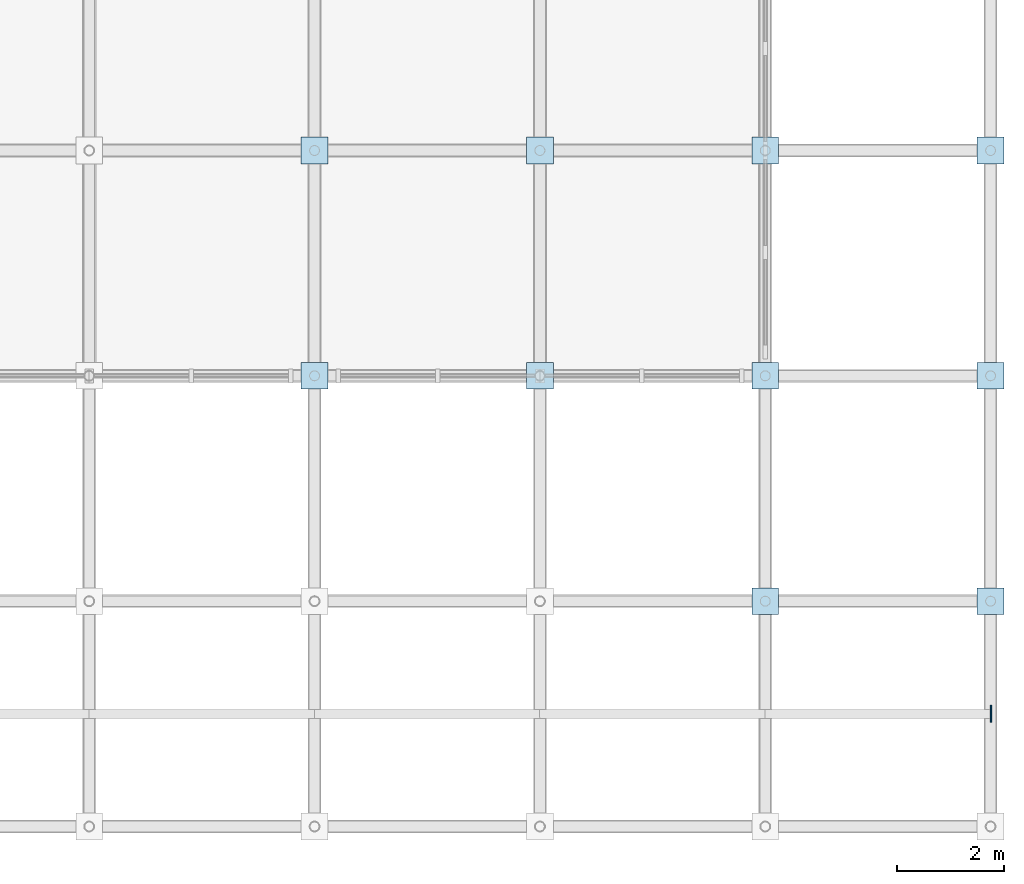
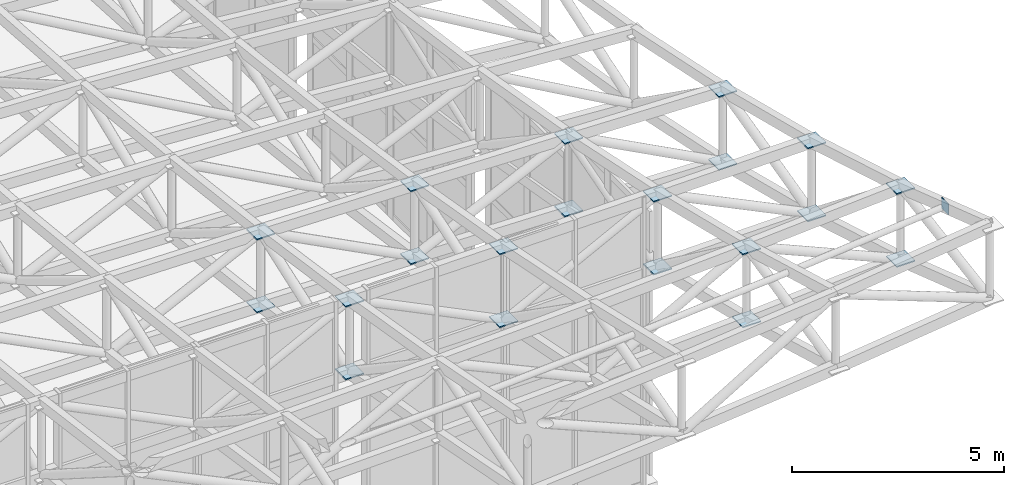
# One storey, part 76 of 123: 21 plates.
"""IFC4 building model written with IfcOpenShell, lengths in metres."""

from ifc_helpers import new_model, si_unit, direction, frame, origin, origin_2d, place, context, subcontext, project, spatial, rectangle, extrude, material, layer, layer_set, type_object, element, save


model = new_model("IFC4")

# Units and contexts
model_context = context("Model", 3, precision=1e-05, world=origin(), true_north=direction((0.0, 1.0)))
body_context = subcontext(model_context, "Body", "Model", "MODEL_VIEW")
ifc_project = project(units=[si_unit("LENGTHUNIT", "METRE"), si_unit("AREAUNIT", "SQUARE_METRE"), si_unit("VOLUMEUNIT", "CUBIC_METRE"), si_unit("PLANEANGLEUNIT", "RADIAN"), si_unit("MASSUNIT", "GRAM", prefix="KILO")], contexts=[model_context])

# Site, building, storey
site_placement = place(None, origin())
site = spatial("IfcSite", under=ifc_project, at=site_placement, CompositionType="ELEMENT")
building_placement = place(site_placement, origin())
building = spatial("IfcBuilding", under=site, at=building_placement, Name="Cumbredor Promenade Congress Hotel", CompositionType="ELEMENT")
storey_placement = place(building_placement, frame((0.0, 0.0, 11.760009765625)))
storey = spatial("IfcBuildingStorey", under=building, at=storey_placement, Name="L03", CompositionType="ELEMENT", Elevation=11.760009765625)

# Plates
ifc_material = material(Name="Steel ASTM A572 Grade 50", Category="steel")
ifc_layer_1 = layer(ifc_material, 0.02001953125, Name="Steel ASTM A572 Grade 50", Category="steel")
ifc_layer_set_1 = layer_set([ifc_layer_1], Name="Steel ASTM A572 Grade 50")
plate_type_1 = type_object("IfcPlateType", Name="Hollow Section End Cap Plate CP-05", PredefinedType="USERDEFINED", material=ifc_layer_set_1)
plate_placement = place(storey_placement, frame((189.008056640625, 2.10009765625, 10.1298828125), z_axis=(0.0, 0.0, 1.0), x_axis=(1.0, 0.0, 0.0)))
element("IfcPlate", 1, at=plate_placement, inside=storey, type_object=plate_type_1, Name="Grand Ballroom Pavilion Roof Eave Purlin 12.1 End Cap Plate", ObjectType="CAP PLATE", PredefinedType="USERDEFINED", context=body_context, shape_type="SweptSolid", body=[
    extrude(rectangle(XDim=0.02001953125, YDim=0.320068359375, at=origin_2d()), origin(), (0.0, 0.0, 1.0), 0.320068359375),
])
ifc_layer_2 = layer(ifc_material, 0.031982421875, Name="Steel ASTM A572 Grade 50", Category="steel")
ifc_layer_set_2 = layer_set([ifc_layer_2], Name="Steel ASTM A572 Grade 50")
plate_type_2 = type_object("IfcPlateType", Name="Space Frame Node Assembly ND-02", PredefinedType="USERDEFINED", material=ifc_layer_set_2)
for number, where, z_axis, x_axis, name in (
    (2, (176.39990234375, 8.39990234375, 8.19970703125), (0.0, 0.0, 1.0), (1.0, 0.0, 0.0), "Grand Ballroom Pavilion Space Frame Top Node 10.3"),
    (3, (176.39990234375, 8.39990234375, 6.099609375), (0.0, 0.0, 1.0), (1.0, 0.0, 0.0), "Grand Ballroom Pavilion Space Frame Bottom Node 10.3"),
    (4, (176.39990234375, 12.60009765625, 7.58642578125), (0.0, 0.0, 1.0), (1.0, 0.0, 0.0), "Grand Ballroom Pavilion Space Frame Top Node 10.4"),
    (5, (176.39990234375, 12.60009765625, 5.486328125), (0.0, 0.0, 1.0), (1.0, 0.0, 0.0), "Grand Ballroom Pavilion Space Frame Bottom Node 10.4"),
    (6, (180.60009765625, 8.39990234375, 8.2373046875), (0.0, 0.0, 1.0), (1.0, 0.0, 0.0), "Grand Ballroom Pavilion Space Frame Top Node 11.3"),
    (7, (180.60009765625, 8.39990234375, 6.13720703125), (0.0, 0.0, 1.0), (1.0, 0.0, 0.0), "Grand Ballroom Pavilion Space Frame Bottom Node 11.3"),
    (8, (180.60009765625, 12.60009765625, 7.50830078125), (0.0, 0.0, 1.0), (1.0, 0.0, 0.0), "Grand Ballroom Pavilion Space Frame Top Node 11.4"),
    (9, (180.60009765625, 12.60009765625, 5.408203125), (0.0, 0.0, 1.0), (1.0, 0.0, 0.0), "Grand Ballroom Pavilion Space Frame Bottom Node 11.4"),
    (10, (184.800048828125, 4.199951171875, 9.30859375), (0.0, 0.0, 1.0), (1.0, 0.0, 0.0), "Grand Ballroom Pavilion Space Frame Top Node 12.2"),
    (11, (184.800048828125, 4.199951171875, 7.20849609375), (0.0, 0.0, 1.0), (1.0, 0.0, 0.0), "Grand Ballroom Pavilion Space Frame Bottom Node 12.2"),
    (12, (184.800048828125, 8.39990234375, 8.28515625), (0.0, 0.0, 1.0), (1.0, 0.0, 0.0), "Grand Ballroom Pavilion Space Frame Top Node 12.3"),
    (13, (184.800048828125, 8.39990234375, 6.18505859375), (0.0, 0.0, 1.0), (1.0, 0.0, 0.0), "Grand Ballroom Pavilion Space Frame Bottom Node 12.3"),
    (14, (184.800048828125, 12.60009765625, 7.40771484375), (0.0, 0.0, 1.0), (1.0, 0.0, 0.0), "Grand Ballroom Pavilion Space Frame Top Node 12.4"),
    (15, (184.800048828125, 12.60009765625, 5.3076171875), (0.0, 0.0, 1.0), (1.0, 0.0, 0.0), "Grand Ballroom Pavilion Space Frame Bottom Node 12.4"),
    (16, (189.0, 4.199951171875, 9.58447265625), (0.0, 0.0, 1.0), (1.0, 0.0, 0.0), "Grand Ballroom Pavilion Space Frame Top Node 13.2"),
    (17, (189.0, 4.199951171875, 7.484375), (0.0, 0.0, 1.0), (1.0, 0.0, 0.0), "Grand Ballroom Pavilion Space Frame Bottom Node 13.2"),
    (18, (189.0, 8.39990234375, 8.34765625), (0.0, 0.0, 1.0), (1.0, 0.0, 0.0), "Grand Ballroom Pavilion Space Frame Top Node 13.3"),
    (19, (189.0, 8.39990234375, 6.248046875), (0.0, 0.0, 1.0), (1.0, 0.0, 0.0), "Grand Ballroom Pavilion Space Frame Bottom Node 13.3"),
    (20, (189.0, 12.60009765625, 7.28759765625), (0.0, 0.0, 1.0), (1.0, 0.0, 0.0), "Grand Ballroom Pavilion Space Frame Top Node 13.4"),
    (21, (189.0, 12.60009765625, 5.1875), (0.0, 0.0, 1.0), (1.0, 0.0, 0.0), "Grand Ballroom Pavilion Space Frame Bottom Node 13.4"),
):
    element("IfcPlate", number, at=place(storey_placement, frame(where, z_axis=z_axis, x_axis=x_axis)), inside=storey, type_object=plate_type_2, Name=name, ObjectType="GUSSET PLATE", PredefinedType="USERDEFINED", context=body_context, shape_type="SweptSolid", body=[
        extrude(rectangle(XDim=0.5, YDim=0.5, at=origin_2d()), origin(), (0.0, 0.0, 1.0), 0.031982421875),
    ])

save(model, "model.ifc")
